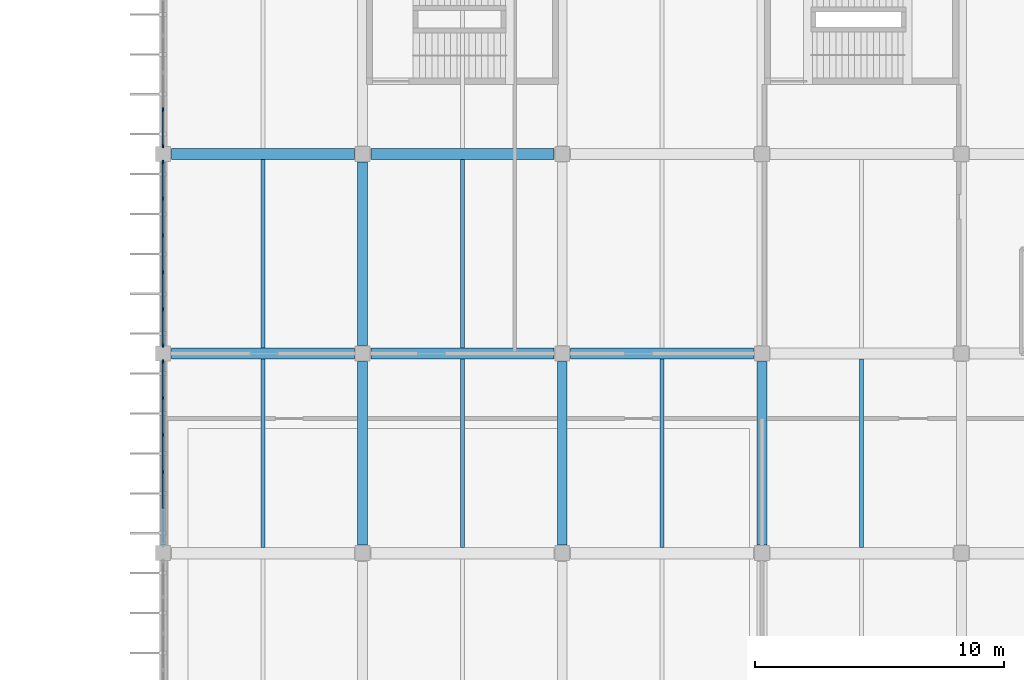
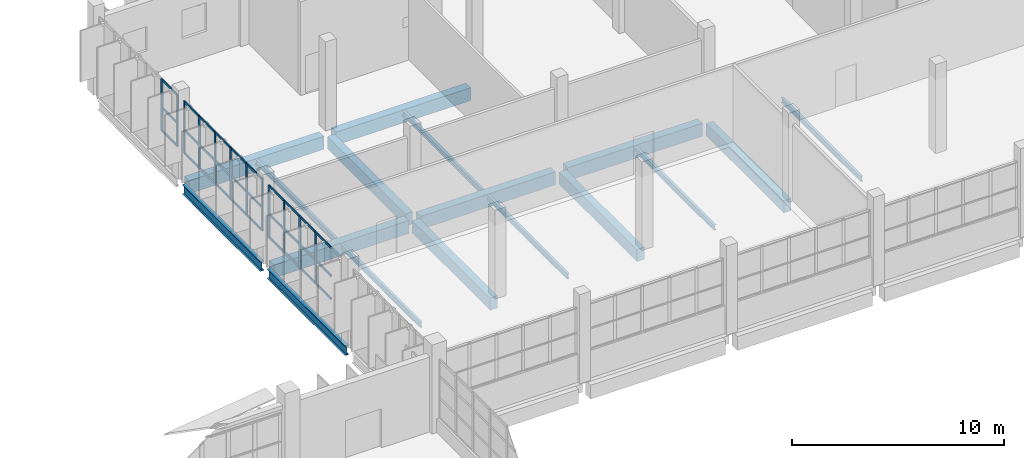
# One storey, part 37 of 103: 42 members, 17 beams, 3 elements without a shape of their own.
"""IFC4 building model written with IfcOpenShell, lengths in metres."""

from ifc_helpers import new_model, si_unit, direction, frame, origin, origin_2d, place, context, subcontext, project, spatial, rectangle, i_section, extrude, material, layer, layer_set, material_profile, profile_set, type_object, element, aggregate, save


model = new_model("IFC4")

# Units and contexts
model_context = context("Model", 3, precision=1e-05, world=origin(), true_north=direction((0.0, 1.0)))
body_context = subcontext(model_context, "Body", "Model", "MODEL_VIEW")
ifc_project = project(units=[si_unit("LENGTHUNIT", "METRE"), si_unit("AREAUNIT", "SQUARE_METRE"), si_unit("VOLUMEUNIT", "CUBIC_METRE"), si_unit("PLANEANGLEUNIT", "RADIAN"), si_unit("MASSUNIT", "GRAM", prefix="KILO")], contexts=[model_context])

# Site, building, storey
site_placement = place(None, origin())
site = spatial("IfcSite", under=ifc_project, at=site_placement, CompositionType="ELEMENT")
building_placement = place(site_placement, origin())
building = spatial("IfcBuilding", under=site, at=building_placement, Name="Drelvana Railside Aquatics Centre", CompositionType="ELEMENT")
storey_placement = place(building_placement, origin())
storey = spatial("IfcBuildingStorey", under=building, at=storey_placement, Name="L00", CompositionType="ELEMENT", Elevation=0.0)

# Curtain wall, members
ifc_material_1 = material(Name="Bronze-anodised aluminium curtain wall", Category="aluminium")
ifc_layer = layer(ifc_material_1, 0.1650390625, Name="Bronze-anodised aluminium curtain wall")
ifc_layer_set = layer_set([ifc_layer], Name="Bronze-anodised aluminium curtain wall")
curtain_wall_type = type_object("IfcCurtainWallType", Name="CW-Z5-COURT", PredefinedType="NOTDEFINED", material=ifc_layer_set)
curtain_wall_1_placement = place(storey_placement, origin())
curtain_wall_1 = element("IfcCurtainWall", 1, at=curtain_wall_1_placement, inside=storey, type_object=curtain_wall_type, Name="Curtain wall CW-05-129", PredefinedType="NOTDEFINED")
ifc_material_2 = material(Name="Bronze-anodised aluminium 6063-T6", Category="aluminium")
ifc_material_profile_1 = material_profile(ifc_material_2, rectangle(XDim=0.06005859375, YDim=0.14990234375, at=origin_2d()), Name="ALU-M 60x150")
ifc_profile_set_1 = profile_set([ifc_material_profile_1], Name="Bronze-anodised aluminium 6063-T6")
member_type_1 = type_object("IfcMemberType", Name="CW-Z5-COURT-MUL", PredefinedType="MULLION", material=ifc_profile_set_1)
member_1_placement = place(storey_placement, frame((96.0, 95.2587890625, 1.444091796875), z_axis=(0.0, 0.0, 1.0), x_axis=(-1.0, 0.0, 0.0)))
member_1 = element("IfcMember", 2, at=member_1_placement, type_object=member_type_1, Name="CW-05 mullion 3", PredefinedType="MULLION", context=body_context, shape_type="SweptSolid", body=[
    extrude(rectangle(XDim=0.06005859375, YDim=0.14990234375, at=origin_2d()), origin(), (0.0, 0.0, 1.0), 3.005859375),
])
member_2_placement = place(storey_placement, frame((96.0, 96.7412109375, 1.444091796875), z_axis=(0.0, 0.0, 1.0), x_axis=(-1.0, 0.0, 0.0)))
member_2 = element("IfcMember", 3, at=member_2_placement, type_object=member_type_1, Name="CW-05 mullion 4", PredefinedType="MULLION", context=body_context, shape_type="SweptSolid", body=[
    extrude(rectangle(XDim=0.06005859375, YDim=0.14990234375, at=origin_2d()), origin(), (0.0, 0.0, 1.0), 3.005859375),
])
member_3_placement = place(storey_placement, frame((96.0, 98.2236328125, 1.444091796875), z_axis=(0.0, 0.0, 1.0), x_axis=(-1.0, 0.0, 0.0)))
member_3 = element("IfcMember", 4, at=member_3_placement, type_object=member_type_1, Name="CW-05 mullion 5", PredefinedType="MULLION", context=body_context, shape_type="SweptSolid", body=[
    extrude(rectangle(XDim=0.06005859375, YDim=0.14990234375, at=origin_2d()), origin(), (0.0, 0.0, 1.0), 3.005859375),
])
member_4_placement = place(storey_placement, frame((96.0, 99.676025390625, 1.444091796875), z_axis=(0.0, 0.0, 1.0), x_axis=(-1.0, 0.0, 0.0)))
member_4 = element("IfcMember", 5, at=member_4_placement, type_object=member_type_1, Name="CW-05 mullion 6", PredefinedType="MULLION", context=body_context, shape_type="SweptSolid", body=[
    extrude(rectangle(XDim=0.06005859375, YDim=0.14990234375, at=origin_2d()), origin(), (0.0, 0.0, 1.0), 3.005859375),
])

curtain_wall_2_placement = place(storey_placement, origin())
curtain_wall_2 = element("IfcCurtainWall", 6, at=curtain_wall_2_placement, inside=storey, type_object=curtain_wall_type, Name="Curtain wall CW-05-131", PredefinedType="NOTDEFINED")
member_5_placement = place(storey_placement, frame((96.0, 100.323974609375, 1.444091796875), z_axis=(0.0, 0.0, 1.0), x_axis=(-1.0, 0.0, 0.0)))
member_5 = element("IfcMember", 7, at=member_5_placement, type_object=member_type_1, Name="CW-05 mullion 1", PredefinedType="MULLION", context=body_context, shape_type="SweptSolid", body=[
    extrude(rectangle(XDim=0.06005859375, YDim=0.14990234375, at=origin_2d()), origin(), (0.0, 0.0, 1.0), 3.005859375),
])
member_6_placement = place(storey_placement, frame((96.0, 101.7763671875, 1.444091796875), z_axis=(0.0, 0.0, 1.0), x_axis=(-1.0, 0.0, 0.0)))
member_6 = element("IfcMember", 8, at=member_6_placement, type_object=member_type_1, Name="CW-05 mullion 2", PredefinedType="MULLION", context=body_context, shape_type="SweptSolid", body=[
    extrude(rectangle(XDim=0.06005859375, YDim=0.14990234375, at=origin_2d()), origin(), (0.0, 0.0, 1.0), 3.005859375),
])
member_7_placement = place(storey_placement, frame((96.0, 103.2587890625, 1.444091796875), z_axis=(0.0, 0.0, 1.0), x_axis=(-1.0, 0.0, 0.0)))
member_7 = element("IfcMember", 9, at=member_7_placement, type_object=member_type_1, Name="CW-05 mullion 3", PredefinedType="MULLION", context=body_context, shape_type="SweptSolid", body=[
    extrude(rectangle(XDim=0.06005859375, YDim=0.14990234375, at=origin_2d()), origin(), (0.0, 0.0, 1.0), 3.005859375),
])
member_8_placement = place(storey_placement, frame((96.0, 104.7412109375, 1.444091796875), z_axis=(0.0, 0.0, 1.0), x_axis=(-1.0, 0.0, 0.0)))
member_8 = element("IfcMember", 10, at=member_8_placement, type_object=member_type_1, Name="CW-05 mullion 4", PredefinedType="MULLION", context=body_context, shape_type="SweptSolid", body=[
    extrude(rectangle(XDim=0.06005859375, YDim=0.14990234375, at=origin_2d()), origin(), (0.0, 0.0, 1.0), 3.005859375),
])
member_9_placement = place(storey_placement, frame((96.0, 106.2236328125, 1.444091796875), z_axis=(0.0, 0.0, 1.0), x_axis=(-1.0, 0.0, 0.0)))
member_9 = element("IfcMember", 11, at=member_9_placement, type_object=member_type_1, Name="CW-05 mullion 5", PredefinedType="MULLION", context=body_context, shape_type="SweptSolid", body=[
    extrude(rectangle(XDim=0.06005859375, YDim=0.14990234375, at=origin_2d()), origin(), (0.0, 0.0, 1.0), 3.005859375),
])
member_10_placement = place(storey_placement, frame((96.0, 107.676025390625, 1.444091796875), z_axis=(0.0, 0.0, 1.0), x_axis=(-1.0, 0.0, 0.0)))
member_10 = element("IfcMember", 12, at=member_10_placement, type_object=member_type_1, Name="CW-05 mullion 6", PredefinedType="MULLION", context=body_context, shape_type="SweptSolid", body=[
    extrude(rectangle(XDim=0.06005859375, YDim=0.14990234375, at=origin_2d()), origin(), (0.0, 0.0, 1.0), 3.005859375),
])

curtain_wall_3_placement = place(storey_placement, origin())
curtain_wall_3 = element("IfcCurtainWall", 13, at=curtain_wall_3_placement, inside=storey, type_object=curtain_wall_type, Name="Curtain wall CW-05-133", PredefinedType="NOTDEFINED")
member_11_placement = place(storey_placement, frame((96.0, 108.323974609375, 1.444091796875), z_axis=(0.0, 0.0, 1.0), x_axis=(-1.0, 0.0, 0.0)))
member_11 = element("IfcMember", 14, at=member_11_placement, type_object=member_type_1, Name="CW-05 mullion 1", PredefinedType="MULLION", context=body_context, shape_type="SweptSolid", body=[
    extrude(rectangle(XDim=0.06005859375, YDim=0.14990234375, at=origin_2d()), origin(), (0.0, 0.0, 1.0), 3.005859375),
])
member_12_placement = place(storey_placement, frame((96.0, 109.7763671875, 1.444091796875), z_axis=(0.0, 0.0, 1.0), x_axis=(-1.0, 0.0, 0.0)))
member_12 = element("IfcMember", 15, at=member_12_placement, type_object=member_type_1, Name="CW-05 mullion 2", PredefinedType="MULLION", context=body_context, shape_type="SweptSolid", body=[
    extrude(rectangle(XDim=0.06005859375, YDim=0.14990234375, at=origin_2d()), origin(), (0.0, 0.0, 1.0), 3.005859375),
])

# Member
ifc_material_profile_2 = material_profile(ifc_material_2, rectangle(XDim=0.1201171875, YDim=0.06005859375, at=origin_2d()), Name="ALU-T 60x120")
ifc_profile_set_2 = profile_set([ifc_material_profile_2], Name="Bronze-anodised aluminium 6063-T6")
member_type_2 = type_object("IfcMemberType", Name="CW-Z5-COURT-TRN", PredefinedType="USERDEFINED", material=ifc_profile_set_2)
member_13_placement = place(storey_placement, frame((96.0, 93.801513671875, 1.47412109375), z_axis=(0.0, 1.0, 0.0), x_axis=(0.0, 0.0, 1.0)))
member_13 = element("IfcMember", 16, at=member_13_placement, type_object=member_type_2, Name="CW-05 transom 2.1", ObjectType="TRANSOM", PredefinedType="USERDEFINED", context=body_context, shape_type="SweptSolid", body=[
    extrude(rectangle(XDim=0.1201171875, YDim=0.06005859375, at=origin_2d()), origin(), (0.0, 0.0, 1.0), 1.432373046875),
])

member_14_placement = place(storey_placement, frame((96.0, 93.801513671875, 2.797119140625), z_axis=(0.0, 1.0, 0.0), x_axis=(0.0, 0.0, 1.0)))
member_14 = element("IfcMember", 17, at=member_14_placement, type_object=member_type_2, Name="CW-05 transom 2.2", ObjectType="TRANSOM", PredefinedType="USERDEFINED", context=body_context, shape_type="SweptSolid", body=[
    extrude(rectangle(XDim=0.1201171875, YDim=0.06005859375, at=origin_2d()), origin(), (0.0, 0.0, 1.0), 1.432373046875),
])

member_15_placement = place(storey_placement, frame((96.0, 93.801513671875, 4.419921875), z_axis=(0.0, 1.0, 0.0), x_axis=(0.0, 0.0, 1.0)))
member_15 = element("IfcMember", 18, at=member_15_placement, type_object=member_type_2, Name="CW-05 transom 2.3", ObjectType="TRANSOM", PredefinedType="USERDEFINED", context=body_context, shape_type="SweptSolid", body=[
    extrude(rectangle(XDim=0.1201171875, YDim=0.06005859375, at=origin_2d()), origin(), (0.0, 0.0, 1.0), 1.432373046875),
])

member_16_placement = place(storey_placement, frame((96.0, 95.28369140625, 1.47412109375), z_axis=(0.0, 1.0, 0.0), x_axis=(0.0, 0.0, 1.0)))
member_16 = element("IfcMember", 19, at=member_16_placement, type_object=member_type_2, Name="CW-05 transom 3.1", ObjectType="TRANSOM", PredefinedType="USERDEFINED", context=body_context, shape_type="SweptSolid", body=[
    extrude(rectangle(XDim=0.1201171875, YDim=0.06005859375, at=origin_2d()), origin(), (0.0, 0.0, 1.0), 1.4326171875),
])

member_17_placement = place(storey_placement, frame((96.0, 95.28369140625, 2.797119140625), z_axis=(0.0, 1.0, 0.0), x_axis=(0.0, 0.0, 1.0)))
member_17 = element("IfcMember", 20, at=member_17_placement, type_object=member_type_2, Name="CW-05 transom 3.2", ObjectType="TRANSOM", PredefinedType="USERDEFINED", context=body_context, shape_type="SweptSolid", body=[
    extrude(rectangle(XDim=0.1201171875, YDim=0.06005859375, at=origin_2d()), origin(), (0.0, 0.0, 1.0), 1.4326171875),
])

member_18_placement = place(storey_placement, frame((96.0, 95.28369140625, 4.419921875), z_axis=(0.0, 1.0, 0.0), x_axis=(0.0, 0.0, 1.0)))
member_18 = element("IfcMember", 21, at=member_18_placement, type_object=member_type_2, Name="CW-05 transom 3.3", ObjectType="TRANSOM", PredefinedType="USERDEFINED", context=body_context, shape_type="SweptSolid", body=[
    extrude(rectangle(XDim=0.1201171875, YDim=0.06005859375, at=origin_2d()), origin(), (0.0, 0.0, 1.0), 1.4326171875),
])

member_19_placement = place(storey_placement, frame((96.0, 96.76611328125, 1.47412109375), z_axis=(0.0, 1.0, 0.0), x_axis=(0.0, 0.0, 1.0)))
member_19 = element("IfcMember", 22, at=member_19_placement, type_object=member_type_2, Name="CW-05 transom 4.1", ObjectType="TRANSOM", PredefinedType="USERDEFINED", context=body_context, shape_type="SweptSolid", body=[
    extrude(rectangle(XDim=0.1201171875, YDim=0.06005859375, at=origin_2d()), origin(), (0.0, 0.0, 1.0), 1.432373046875),
])

member_20_placement = place(storey_placement, frame((96.0, 96.76611328125, 2.797119140625), z_axis=(0.0, 1.0, 0.0), x_axis=(0.0, 0.0, 1.0)))
member_20 = element("IfcMember", 23, at=member_20_placement, type_object=member_type_2, Name="CW-05 transom 4.2", ObjectType="TRANSOM", PredefinedType="USERDEFINED", context=body_context, shape_type="SweptSolid", body=[
    extrude(rectangle(XDim=0.1201171875, YDim=0.06005859375, at=origin_2d()), origin(), (0.0, 0.0, 1.0), 1.432373046875),
])

member_21_placement = place(storey_placement, frame((96.0, 96.76611328125, 4.419921875), z_axis=(0.0, 1.0, 0.0), x_axis=(0.0, 0.0, 1.0)))
member_21 = element("IfcMember", 24, at=member_21_placement, type_object=member_type_2, Name="CW-05 transom 4.3", ObjectType="TRANSOM", PredefinedType="USERDEFINED", context=body_context, shape_type="SweptSolid", body=[
    extrude(rectangle(XDim=0.1201171875, YDim=0.06005859375, at=origin_2d()), origin(), (0.0, 0.0, 1.0), 1.432373046875),
])

member_22_placement = place(storey_placement, frame((96.0, 98.24853515625, 1.47412109375), z_axis=(0.0, 1.0, 0.0), x_axis=(0.0, 0.0, 1.0)))
member_22 = element("IfcMember", 25, at=member_22_placement, type_object=member_type_2, Name="CW-05 transom 5.1", ObjectType="TRANSOM", PredefinedType="USERDEFINED", context=body_context, shape_type="SweptSolid", body=[
    extrude(rectangle(XDim=0.1201171875, YDim=0.06005859375, at=origin_2d()), origin(), (0.0, 0.0, 1.0), 1.40234375),
])

member_23_placement = place(storey_placement, frame((96.0, 98.24853515625, 2.797119140625), z_axis=(0.0, 1.0, 0.0), x_axis=(0.0, 0.0, 1.0)))
member_23 = element("IfcMember", 26, at=member_23_placement, type_object=member_type_2, Name="CW-05 transom 5.2", ObjectType="TRANSOM", PredefinedType="USERDEFINED", context=body_context, shape_type="SweptSolid", body=[
    extrude(rectangle(XDim=0.1201171875, YDim=0.06005859375, at=origin_2d()), origin(), (0.0, 0.0, 1.0), 1.40234375),
])

member_24_placement = place(storey_placement, frame((96.0, 98.24853515625, 4.419921875), z_axis=(0.0, 1.0, 0.0), x_axis=(0.0, 0.0, 1.0)))
member_24 = element("IfcMember", 27, at=member_24_placement, type_object=member_type_2, Name="CW-05 transom 5.3", ObjectType="TRANSOM", PredefinedType="USERDEFINED", context=body_context, shape_type="SweptSolid", body=[
    extrude(rectangle(XDim=0.1201171875, YDim=0.06005859375, at=origin_2d()), origin(), (0.0, 0.0, 1.0), 1.40234375),
])

aggregate(curtain_wall_1, [member_1, member_2, member_3, member_4, member_13, member_14, member_15, member_16, member_17, member_18, member_19, member_20, member_21, member_22, member_23, member_24])

member_25_placement = place(storey_placement, frame((96.0, 100.34912109375, 1.47412109375), z_axis=(0.0, 1.0, 0.0), x_axis=(0.0, 0.0, 1.0)))
member_25 = element("IfcMember", 28, at=member_25_placement, type_object=member_type_2, Name="CW-05 transom 1.1", ObjectType="TRANSOM", PredefinedType="USERDEFINED", context=body_context, shape_type="SweptSolid", body=[
    extrude(rectangle(XDim=0.1201171875, YDim=0.06005859375, at=origin_2d()), origin(), (0.0, 0.0, 1.0), 1.40234375),
])

member_26_placement = place(storey_placement, frame((96.0, 100.34912109375, 2.797119140625), z_axis=(0.0, 1.0, 0.0), x_axis=(0.0, 0.0, 1.0)))
member_26 = element("IfcMember", 29, at=member_26_placement, type_object=member_type_2, Name="CW-05 transom 1.2", ObjectType="TRANSOM", PredefinedType="USERDEFINED", context=body_context, shape_type="SweptSolid", body=[
    extrude(rectangle(XDim=0.1201171875, YDim=0.06005859375, at=origin_2d()), origin(), (0.0, 0.0, 1.0), 1.40234375),
])

member_27_placement = place(storey_placement, frame((96.0, 100.34912109375, 4.419921875), z_axis=(0.0, 1.0, 0.0), x_axis=(0.0, 0.0, 1.0)))
member_27 = element("IfcMember", 30, at=member_27_placement, type_object=member_type_2, Name="CW-05 transom 1.3", ObjectType="TRANSOM", PredefinedType="USERDEFINED", context=body_context, shape_type="SweptSolid", body=[
    extrude(rectangle(XDim=0.1201171875, YDim=0.06005859375, at=origin_2d()), origin(), (0.0, 0.0, 1.0), 1.40234375),
])

member_28_placement = place(storey_placement, frame((96.0, 101.801513671875, 1.47412109375), z_axis=(0.0, 1.0, 0.0), x_axis=(0.0, 0.0, 1.0)))
member_28 = element("IfcMember", 31, at=member_28_placement, type_object=member_type_2, Name="CW-05 transom 2.1", ObjectType="TRANSOM", PredefinedType="USERDEFINED", context=body_context, shape_type="SweptSolid", body=[
    extrude(rectangle(XDim=0.1201171875, YDim=0.06005859375, at=origin_2d()), origin(), (0.0, 0.0, 1.0), 1.432373046875),
])

member_29_placement = place(storey_placement, frame((96.0, 101.801513671875, 2.797119140625), z_axis=(0.0, 1.0, 0.0), x_axis=(0.0, 0.0, 1.0)))
member_29 = element("IfcMember", 32, at=member_29_placement, type_object=member_type_2, Name="CW-05 transom 2.2", ObjectType="TRANSOM", PredefinedType="USERDEFINED", context=body_context, shape_type="SweptSolid", body=[
    extrude(rectangle(XDim=0.1201171875, YDim=0.06005859375, at=origin_2d()), origin(), (0.0, 0.0, 1.0), 1.432373046875),
])

member_30_placement = place(storey_placement, frame((96.0, 101.801513671875, 4.419921875), z_axis=(0.0, 1.0, 0.0), x_axis=(0.0, 0.0, 1.0)))
member_30 = element("IfcMember", 33, at=member_30_placement, type_object=member_type_2, Name="CW-05 transom 2.3", ObjectType="TRANSOM", PredefinedType="USERDEFINED", context=body_context, shape_type="SweptSolid", body=[
    extrude(rectangle(XDim=0.1201171875, YDim=0.06005859375, at=origin_2d()), origin(), (0.0, 0.0, 1.0), 1.432373046875),
])

member_31_placement = place(storey_placement, frame((96.0, 103.28369140625, 1.47412109375), z_axis=(0.0, 1.0, 0.0), x_axis=(0.0, 0.0, 1.0)))
member_31 = element("IfcMember", 34, at=member_31_placement, type_object=member_type_2, Name="CW-05 transom 3.1", ObjectType="TRANSOM", PredefinedType="USERDEFINED", context=body_context, shape_type="SweptSolid", body=[
    extrude(rectangle(XDim=0.1201171875, YDim=0.06005859375, at=origin_2d()), origin(), (0.0, 0.0, 1.0), 1.4326171875),
])

member_32_placement = place(storey_placement, frame((96.0, 103.28369140625, 2.797119140625), z_axis=(0.0, 1.0, 0.0), x_axis=(0.0, 0.0, 1.0)))
member_32 = element("IfcMember", 35, at=member_32_placement, type_object=member_type_2, Name="CW-05 transom 3.2", ObjectType="TRANSOM", PredefinedType="USERDEFINED", context=body_context, shape_type="SweptSolid", body=[
    extrude(rectangle(XDim=0.1201171875, YDim=0.06005859375, at=origin_2d()), origin(), (0.0, 0.0, 1.0), 1.4326171875),
])

member_33_placement = place(storey_placement, frame((96.0, 103.28369140625, 4.419921875), z_axis=(0.0, 1.0, 0.0), x_axis=(0.0, 0.0, 1.0)))
member_33 = element("IfcMember", 36, at=member_33_placement, type_object=member_type_2, Name="CW-05 transom 3.3", ObjectType="TRANSOM", PredefinedType="USERDEFINED", context=body_context, shape_type="SweptSolid", body=[
    extrude(rectangle(XDim=0.1201171875, YDim=0.06005859375, at=origin_2d()), origin(), (0.0, 0.0, 1.0), 1.4326171875),
])

member_34_placement = place(storey_placement, frame((96.0, 104.76611328125, 1.47412109375), z_axis=(0.0, 1.0, 0.0), x_axis=(0.0, 0.0, 1.0)))
member_34 = element("IfcMember", 37, at=member_34_placement, type_object=member_type_2, Name="CW-05 transom 4.1", ObjectType="TRANSOM", PredefinedType="USERDEFINED", context=body_context, shape_type="SweptSolid", body=[
    extrude(rectangle(XDim=0.1201171875, YDim=0.06005859375, at=origin_2d()), origin(), (0.0, 0.0, 1.0), 1.432373046875),
])

member_35_placement = place(storey_placement, frame((96.0, 104.76611328125, 2.797119140625), z_axis=(0.0, 1.0, 0.0), x_axis=(0.0, 0.0, 1.0)))
member_35 = element("IfcMember", 38, at=member_35_placement, type_object=member_type_2, Name="CW-05 transom 4.2", ObjectType="TRANSOM", PredefinedType="USERDEFINED", context=body_context, shape_type="SweptSolid", body=[
    extrude(rectangle(XDim=0.1201171875, YDim=0.06005859375, at=origin_2d()), origin(), (0.0, 0.0, 1.0), 1.432373046875),
])

member_36_placement = place(storey_placement, frame((96.0, 104.76611328125, 4.419921875), z_axis=(0.0, 1.0, 0.0), x_axis=(0.0, 0.0, 1.0)))
member_36 = element("IfcMember", 39, at=member_36_placement, type_object=member_type_2, Name="CW-05 transom 4.3", ObjectType="TRANSOM", PredefinedType="USERDEFINED", context=body_context, shape_type="SweptSolid", body=[
    extrude(rectangle(XDim=0.1201171875, YDim=0.06005859375, at=origin_2d()), origin(), (0.0, 0.0, 1.0), 1.432373046875),
])

member_37_placement = place(storey_placement, frame((96.0, 106.24853515625, 1.47412109375), z_axis=(0.0, 1.0, 0.0), x_axis=(0.0, 0.0, 1.0)))
member_37 = element("IfcMember", 40, at=member_37_placement, type_object=member_type_2, Name="CW-05 transom 5.1", ObjectType="TRANSOM", PredefinedType="USERDEFINED", context=body_context, shape_type="SweptSolid", body=[
    extrude(rectangle(XDim=0.1201171875, YDim=0.06005859375, at=origin_2d()), origin(), (0.0, 0.0, 1.0), 1.40234375),
])

member_38_placement = place(storey_placement, frame((96.0, 106.24853515625, 2.797119140625), z_axis=(0.0, 1.0, 0.0), x_axis=(0.0, 0.0, 1.0)))
member_38 = element("IfcMember", 41, at=member_38_placement, type_object=member_type_2, Name="CW-05 transom 5.2", ObjectType="TRANSOM", PredefinedType="USERDEFINED", context=body_context, shape_type="SweptSolid", body=[
    extrude(rectangle(XDim=0.1201171875, YDim=0.06005859375, at=origin_2d()), origin(), (0.0, 0.0, 1.0), 1.40234375),
])

member_39_placement = place(storey_placement, frame((96.0, 106.24853515625, 4.419921875), z_axis=(0.0, 1.0, 0.0), x_axis=(0.0, 0.0, 1.0)))
member_39 = element("IfcMember", 42, at=member_39_placement, type_object=member_type_2, Name="CW-05 transom 5.3", ObjectType="TRANSOM", PredefinedType="USERDEFINED", context=body_context, shape_type="SweptSolid", body=[
    extrude(rectangle(XDim=0.1201171875, YDim=0.06005859375, at=origin_2d()), origin(), (0.0, 0.0, 1.0), 1.40234375),
])

aggregate(curtain_wall_2, [member_5, member_6, member_7, member_8, member_9, member_10, member_25, member_26, member_27, member_28, member_29, member_30, member_31, member_32, member_33, member_34, member_35, member_36, member_37, member_38, member_39])

member_40_placement = place(storey_placement, frame((96.0, 108.34912109375, 1.47412109375), z_axis=(0.0, 1.0, 0.0), x_axis=(0.0, 0.0, 1.0)))
member_40 = element("IfcMember", 43, at=member_40_placement, type_object=member_type_2, Name="CW-05 transom 1.1", ObjectType="TRANSOM", PredefinedType="USERDEFINED", context=body_context, shape_type="SweptSolid", body=[
    extrude(rectangle(XDim=0.1201171875, YDim=0.06005859375, at=origin_2d()), origin(), (0.0, 0.0, 1.0), 1.40234375),
])

member_41_placement = place(storey_placement, frame((96.0, 108.34912109375, 2.797119140625), z_axis=(0.0, 1.0, 0.0), x_axis=(0.0, 0.0, 1.0)))
member_41 = element("IfcMember", 44, at=member_41_placement, type_object=member_type_2, Name="CW-05 transom 1.2", ObjectType="TRANSOM", PredefinedType="USERDEFINED", context=body_context, shape_type="SweptSolid", body=[
    extrude(rectangle(XDim=0.1201171875, YDim=0.06005859375, at=origin_2d()), origin(), (0.0, 0.0, 1.0), 1.40234375),
])

member_42_placement = place(storey_placement, frame((96.0, 108.34912109375, 4.419921875), z_axis=(0.0, 1.0, 0.0), x_axis=(0.0, 0.0, 1.0)))
member_42 = element("IfcMember", 45, at=member_42_placement, type_object=member_type_2, Name="CW-05 transom 1.3", ObjectType="TRANSOM", PredefinedType="USERDEFINED", context=body_context, shape_type="SweptSolid", body=[
    extrude(rectangle(XDim=0.1201171875, YDim=0.06005859375, at=origin_2d()), origin(), (0.0, 0.0, 1.0), 1.40234375),
])

aggregate(curtain_wall_3, [member_11, member_12, member_40, member_41, member_42])

# Beams
ifc_material_3 = material(Name="Concrete C40/50", Category="concrete")
ifc_material_profile_3 = material_profile(ifc_material_3, rectangle(XDim=0.39990234375, YDim=0.699951171875, at=origin_2d()), Name="RC 400x700")
ifc_profile_set_3 = profile_set([ifc_material_profile_3], Name="Concrete C40/50")
beam_type_1 = type_object("IfcBeamType", Name="STR-BM-BM-03-RC-400x700", PredefinedType="BEAM", material=ifc_profile_set_3)
for number, where, z_axis, x_axis, name in (
    (46, (104.0, 92.324951171875, -0.679931640625), (0.0, 1.0, 0.0), (-1.0, 0.0, 0.0), "Girder BM-03 (L00)"),
    (47, (104.0, 100.324951171875, -0.679931640625), (0.0, 1.0, 0.0), (-1.0, 0.0, 0.0), "Girder BM-03 (L00)"),
    (48, (112.0, 92.324951171875, -0.679931640625), (0.0, 1.0, 0.0), (-1.0, 0.0, 0.0), "Girder BM-03 (L00)"),
    (49, (120.0, 92.324951171875, -0.679931640625), (0.0, 1.0, 0.0), (-1.0, 0.0, 0.0), "Girder BM-03 (L00)"),
):
    element("IfcBeam", number, at=place(storey_placement, frame(where, z_axis=z_axis, x_axis=x_axis)), inside=storey, type_object=beam_type_1, Name=name, PredefinedType="BEAM", context=body_context, shape_type="SweptSolid", body=[
        extrude(rectangle(XDim=0.39990234375, YDim=0.699951171875, at=origin_2d()), origin(), (0.0, 0.0, 1.0), 7.35009765625),
    ])
ifc_material_profile_4 = material_profile(ifc_material_3, rectangle(XDim=0.449951171875, YDim=0.75, at=origin_2d()), Name="RC 450x750")
ifc_profile_set_4 = profile_set([ifc_material_profile_4], Name="Concrete C40/50")
beam_type_2 = type_object("IfcBeamType", Name="STR-BM-BM-04-RC-450x750", PredefinedType="BEAM", material=ifc_profile_set_4)
for number, where, z_axis, x_axis, name in (
    (50, (96.324951171875, 100.0, -0.705078125), (1.0, 0.0, 0.0), (0.0, 1.0, 0.0), "Girder BM-04 (L00)"),
    (51, (104.324951171875, 100.0, -0.705078125), (1.0, 0.0, 0.0), (0.0, 1.0, 0.0), "Girder BM-04 (L00)"),
    (52, (112.324951171875, 100.0, -0.705078125), (1.0, 0.0, 0.0), (0.0, 1.0, 0.0), "Girder BM-04 (L00)"),
    (53, (96.324951171875, 108.0, -0.705078125), (1.0, 0.0, 0.0), (0.0, 1.0, 0.0), "Girder BM-04 (L00)"),
    (54, (104.324951171875, 108.0, -0.705078125), (1.0, 0.0, 0.0), (0.0, 1.0, 0.0), "Girder BM-04 (L00)"),
):
    element("IfcBeam", number, at=place(storey_placement, frame(where, z_axis=z_axis, x_axis=x_axis)), inside=storey, type_object=beam_type_2, Name=name, PredefinedType="BEAM", context=body_context, shape_type="SweptSolid", body=[
        extrude(rectangle(XDim=0.449951171875, YDim=0.75, at=origin_2d()), origin(), (0.0, 0.0, 1.0), 7.35009765625),
    ])
ifc_material_4 = material(Name="Structural steel S355", Category="steel")
ifc_material_profile_5 = material_profile(ifc_material_4, i_section(OverallWidth=0.2099609375, OverallDepth=0.550048828125, WebThickness=0.010986328125, FlangeThickness=0.01708984375, at=origin_2d()), Name="IPE 550")
ifc_profile_set_5 = profile_set([ifc_material_profile_5], Name="Structural steel S355")
beam_type_3 = type_object("IfcBeamType", Name="STR-SBM-SB-04-IPE-550", PredefinedType="SPANDREL", material=ifc_profile_set_5)
for number, where, z_axis, x_axis, name in (
    (55, (96.0, 92.324951171875, -0.60498046875), (0.0, 1.0, 0.0), (-1.0, 0.0, 0.0), "Girder SB-04 (L00)"),
    (56, (96.0, 100.324951171875, -0.60498046875), (0.0, 1.0, 0.0), (-1.0, 0.0, 0.0), "Girder SB-04 (L00)"),
):
    element("IfcBeam", number, at=place(storey_placement, frame(where, z_axis=z_axis, x_axis=x_axis)), inside=storey, type_object=beam_type_3, Name=name, PredefinedType="SPANDREL", context=body_context, shape_type="SweptSolid", body=[
        extrude(i_section(OverallWidth=0.2099609375, OverallDepth=0.550048828125, WebThickness=0.010986328125, FlangeThickness=0.01708984375, at=origin_2d()), origin(), (0.0, 0.0, 1.0), 7.35009765625),
    ])
ifc_material_profile_6 = material_profile(ifc_material_4, i_section(OverallWidth=0.14990234375, OverallDepth=0.300048828125, WebThickness=0.007080078125, FlangeThickness=0.0107421875, at=origin_2d()), Name="IPE 300")
ifc_profile_set_6 = profile_set([ifc_material_profile_6], Name="Structural steel S355")
beam_type_4 = type_object("IfcBeamType", Name="STR-SBM-SJ-03-IPE-300", PredefinedType="JOIST", material=ifc_profile_set_6)
for number, where, z_axis, x_axis, name in (
    (57, (100.0, 92.22509765625, -0.47998046875), (0.0, 1.0, 0.0), (-1.0, 0.0, 0.0), "Secondary floor joist SJ-03 (L00)"),
    (58, (100.0, 100.22509765625, -0.47998046875), (0.0, 1.0, 0.0), (-1.0, 0.0, 0.0), "Secondary floor joist SJ-03 (L00)"),
    (59, (108.0, 92.22509765625, -0.47998046875), (0.0, 1.0, 0.0), (-1.0, 0.0, 0.0), "Secondary floor joist SJ-03 (L00)"),
    (60, (108.0, 100.22509765625, -0.47998046875), (0.0, 1.0, 0.0), (-1.0, 0.0, 0.0), "Secondary floor joist SJ-03 (L00)"),
    (61, (116.0, 92.22509765625, -0.47998046875), (0.0, 1.0, 0.0), (-1.0, 0.0, 0.0), "Secondary floor joist SJ-03 (L00)"),
    (62, (124.0, 92.22509765625, -0.47998046875), (0.0, 1.0, 0.0), (-1.0, 0.0, 0.0), "Secondary floor joist SJ-03 (L00)"),
):
    element("IfcBeam", number, at=place(storey_placement, frame(where, z_axis=z_axis, x_axis=x_axis)), inside=storey, type_object=beam_type_4, Name=name, PredefinedType="JOIST", context=body_context, shape_type="SweptSolid", body=[
        extrude(i_section(OverallWidth=0.14990234375, OverallDepth=0.300048828125, WebThickness=0.007080078125, FlangeThickness=0.0107421875, at=origin_2d()), origin(), (0.0, 0.0, 1.0), 7.5498046875),
    ])

save(model, "model.ifc")
